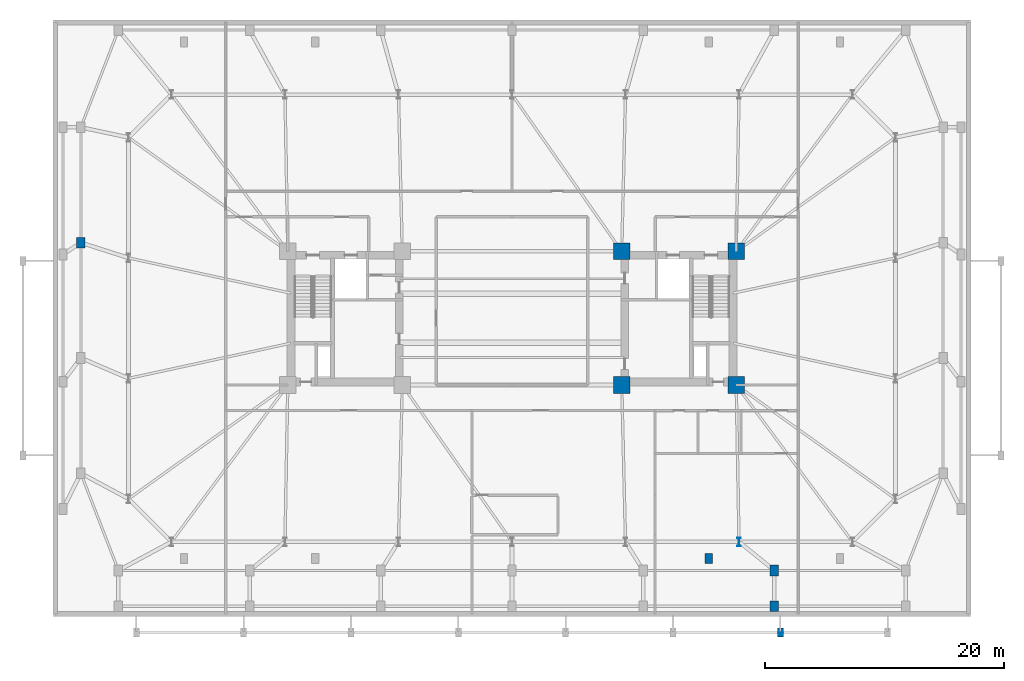
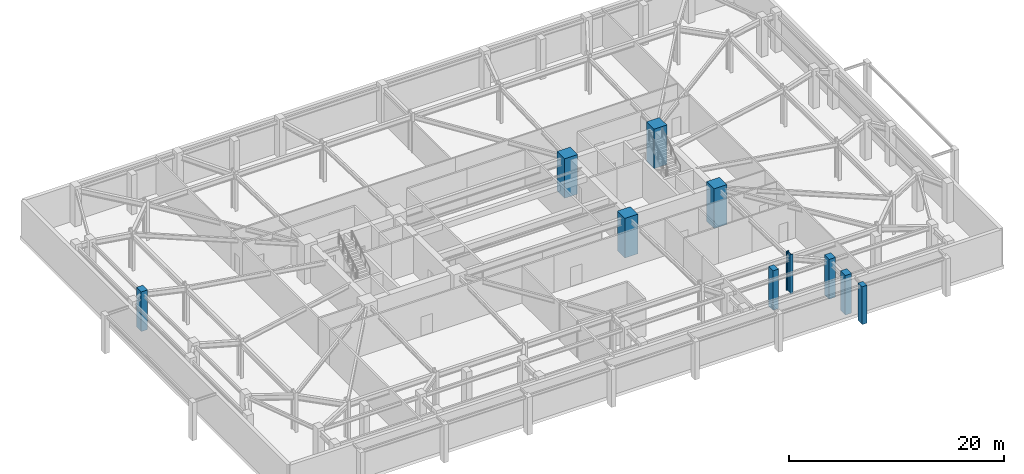
# One storey, part 2 of 14: 10 columns.
"""IFC4 building model written with IfcOpenShell, lengths in metres."""

from ifc_helpers import new_model, si_unit, direction, frame, origin, origin_2d, place, context, subcontext, project, spatial, rectangle, i_section, extrude, material, material_profile, profile_set, type_object, element, save


model = new_model("IFC4")

# Units and contexts
model_context = context("Model", 3, precision=1e-05, world=origin(), true_north=direction((0.0, 1.0)))
body_context = subcontext(model_context, "Body", "Model", "MODEL_VIEW")
ifc_project = project(units=[si_unit("LENGTHUNIT", "METRE"), si_unit("AREAUNIT", "SQUARE_METRE"), si_unit("VOLUMEUNIT", "CUBIC_METRE"), si_unit("PLANEANGLEUNIT", "RADIAN"), si_unit("MASSUNIT", "GRAM", prefix="KILO")], contexts=[model_context])

# Site, building, storey
site_placement = place(None, origin())
site = spatial("IfcSite", under=ifc_project, at=site_placement, CompositionType="ELEMENT")
building_placement = place(site_placement, origin())
building = spatial("IfcBuilding", under=site, at=building_placement, Name="Qobustan Lattice House", CompositionType="ELEMENT")
storey_placement = place(building_placement, frame((0.0, 0.0, -4.5)))
storey = spatial("IfcBuildingStorey", under=building, at=storey_placement, Name="B01", CompositionType="ELEMENT", Elevation=-4.5)

# Columns
ifc_material_1 = material(Name="Concrete C50/60", Category="concrete")
ifc_material_profile_1 = material_profile(ifc_material_1, rectangle(XDim=0.5, YDim=0.75, at=origin_2d()), Name="RC500x750")
ifc_profile_set_1 = profile_set([ifc_material_profile_1], Name="Concrete C50/60")
column_type_1 = type_object("IfcColumnType", Name="COL-PIER-500x750", PredefinedType="USERDEFINED", material=ifc_profile_set_1)
column_1_placement = place(storey_placement, frame((22.5, -26.35009765625, 0.0), z_axis=(0.0, 0.0, 1.0), x_axis=(1.0, 0.0, 0.0)))
element("IfcColumn", 1, at=column_1_placement, inside=storey, type_object=column_type_1, Name="B01 entrance canopy pier PR-07", ObjectType="PIER", PredefinedType="USERDEFINED", context=body_context, shape_type="SweptSolid", body=[
    extrude(rectangle(XDim=0.5, YDim=0.75, at=origin_2d()), origin(), (0.0, 0.0, 1.0), 4.300048828125),
])
ifc_material_2 = material(Name="Concrete C50/60", Category="concrete")
ifc_material_profile_2 = material_profile(ifc_material_2, rectangle(XDim=0.60009765625, YDim=0.85009765625, at=origin_2d()), Name="RC600x850")
ifc_profile_set_2 = profile_set([ifc_material_profile_2], Name="Concrete C50/60")
column_type_2 = type_object("IfcColumnType", Name="COL-PIL-600x850", PredefinedType="PILASTER", material=ifc_profile_set_2)
column_2_placement = place(storey_placement, frame((16.5, -20.14990234375, 0.0), z_axis=(0.0, 0.0, 1.0), x_axis=(1.0, 0.0, 0.0)))
element("IfcColumn", 2, at=column_2_placement, inside=storey, type_object=column_type_2, Name="B01 colonnade pilaster S3", PredefinedType="PILASTER", context=body_context, shape_type="SweptSolid", body=[
    extrude(rectangle(XDim=0.60009765625, YDim=0.85009765625, at=origin_2d()), origin(), (0.0, 0.0, 1.0), 4.5),
])
ifc_material_3 = material(Name="Concrete C60/75", Category="concrete")
ifc_material_profile_3 = material_profile(ifc_material_3, rectangle(XDim=1.39990234375, YDim=1.39990234375, at=origin_2d()), Name="RC1400x1400")
ifc_profile_set_3 = profile_set([ifc_material_profile_3], Name="Concrete C60/75")
column_type_3 = type_object("IfcColumnType", Name="COL-RC-1400", PredefinedType="COLUMN", material=ifc_profile_set_3)
for number, where, z_axis, x_axis, name in (
    (3, (9.199951171875, -5.60009765625, 0.0), (0.0, 0.0, 1.0), (1.0, 0.0, 0.0), "B01 core mega-column CE-SW"),
    (4, (9.199951171875, 5.60009765625, 0.0), (0.0, 0.0, 1.0), (1.0, 0.0, 0.0), "B01 core mega-column CE-NW"),
    (5, (18.800048828125, -5.60009765625, 0.0), (0.0, 0.0, 1.0), (1.0, 0.0, 0.0), "B01 core mega-column CE-SE"),
    (6, (18.800048828125, 5.60009765625, 0.0), (0.0, 0.0, 1.0), (1.0, 0.0, 0.0), "B01 core mega-column CE-NE"),
):
    element("IfcColumn", number, at=place(storey_placement, frame(where, z_axis=z_axis, x_axis=x_axis)), inside=storey, type_object=column_type_3, Name=name, PredefinedType="COLUMN", context=body_context, shape_type="SweptSolid", body=[
        extrude(rectangle(XDim=1.39990234375, YDim=1.39990234375, at=origin_2d()), origin(), (0.0, 0.0, 1.0), 4.5),
    ])
ifc_material_4 = material(Name="Concrete C50/60", Category="concrete")
ifc_material_profile_4 = material_profile(ifc_material_4, rectangle(XDim=0.699951171875, YDim=0.89990234375, at=origin_2d()), Name="RC700x900")
ifc_profile_set_4 = profile_set([ifc_material_profile_4], Name="Concrete C50/60")
column_type_4 = type_object("IfcColumnType", Name="COL-RC-700x900", PredefinedType="COLUMN", material=ifc_profile_set_4)
for number, where, z_axis, x_axis, name in (
    (7, (22.0, -21.14990234375, 0.0), (0.0, 0.0, 1.0), (1.0, 0.0, 0.0), "B01 podium column PS6"),
    (8, (-36.14990234375, 6.33349609375, 0.0), (0.0, 0.0, 1.0), (1.0, 0.0, 0.0), "B01 podium column PW3"),
    (9, (22.0, -24.14990234375, 0.0), (0.0, 0.0, 1.0), (1.0, 0.0, 0.0), "B01 lower podium perimeter column PSL6"),
):
    element("IfcColumn", number, at=place(storey_placement, frame(where, z_axis=z_axis, x_axis=x_axis)), inside=storey, type_object=column_type_4, Name=name, PredefinedType="COLUMN", context=body_context, shape_type="SweptSolid", body=[
        extrude(rectangle(XDim=0.699951171875, YDim=0.89990234375, at=origin_2d()), origin(), (0.0, 0.0, 1.0), 4.5),
    ])
ifc_material_5 = material(Name="Steel S460", Category="steel")
ifc_material_profile_5 = material_profile(ifc_material_5, i_section(OverallWidth=0.303955078125, OverallDepth=0.716064453125, WebThickness=0.02099609375, FlangeThickness=0.0400390625, FilletRadius=0.027099609375, at=origin_2d()), Name="HEM700")
ifc_profile_set_5 = profile_set([ifc_material_profile_5], Name="Steel S460")
column_type_5 = type_object("IfcColumnType", Name="COL-ST-HEM700", PredefinedType="COLUMN", material=ifc_profile_set_5)
column_3_placement = place(storey_placement, frame((19.033203125, -18.75, 0.0), z_axis=(0.0, 0.0, 1.0), x_axis=(1.0, 0.0, 0.0)))
element("IfcColumn", 10, at=column_3_placement, inside=storey, type_object=column_type_5, Name="B01 tower base column S6", PredefinedType="COLUMN", context=body_context, shape_type="SweptSolid", body=[
    extrude(i_section(OverallWidth=0.303955078125, OverallDepth=0.716064453125, WebThickness=0.02099609375, FlangeThickness=0.0400390625, FilletRadius=0.027099609375, at=origin_2d()), origin(), (0.0, 0.0, 1.0), 4.5),
])

save(model, "model.ifc")
